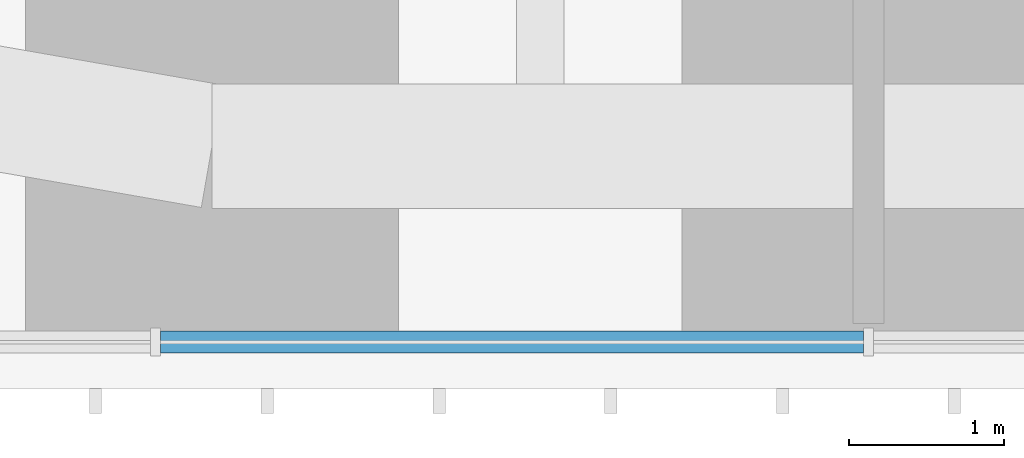
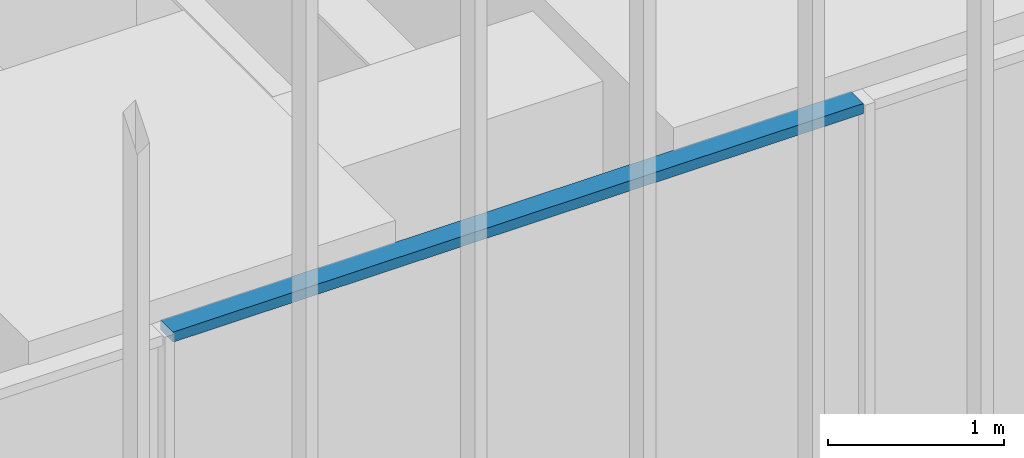
# One storey, part 34 of 256: 1 member, 1 element without a shape of its own.
"""IFC4 building model written with IfcOpenShell, lengths in metres."""

from ifc_helpers import new_model, si_unit, direction, frame, origin, origin_2d, place, context, subcontext, project, spatial, rectangle, extrude, material, material_profile, profile_set, type_object, element, aggregate, save


model = new_model("IFC4")

# Units and contexts
model_context = context("Model", 3, precision=1e-05, world=origin(), true_north=direction((0.0, 1.0)))
body_context = subcontext(model_context, "Body", "Model", "MODEL_VIEW")
ifc_project = project(units=[si_unit("LENGTHUNIT", "METRE"), si_unit("AREAUNIT", "SQUARE_METRE"), si_unit("VOLUMEUNIT", "CUBIC_METRE"), si_unit("PLANEANGLEUNIT", "RADIAN"), si_unit("MASSUNIT", "GRAM", prefix="KILO")], contexts=[model_context])

# Site, building, storey
site_placement = place(None, origin())
site = spatial("IfcSite", under=ifc_project, at=site_placement, CompositionType="ELEMENT")
building_placement = place(site_placement, origin())
building = spatial("IfcBuilding", under=site, at=building_placement, Name="Sandreach Pilgrim Tower", CompositionType="ELEMENT")
storey_placement = place(building_placement, frame((0.0, 0.0, 23.0)))
storey = spatial("IfcBuildingStorey", under=building, at=storey_placement, Name="L04", CompositionType="ELEMENT", Elevation=23.0)

# Curtain wall, member
ifc_material_1 = material(Name="Aluminium framed curtain wall", Category="aluminium")
curtain_wall_type = type_object("IfcCurtainWallType", Name="Hostel tower curtain wall", PredefinedType="NOTDEFINED", material=ifc_material_1)
curtain_wall_placement = place(storey_placement, origin())
curtain_wall = element("IfcCurtainWall", 1, at=curtain_wall_placement, inside=storey, type_object=curtain_wall_type, Name="CW-1 L04 S", PredefinedType="NOTDEFINED")
ifc_material_2 = material(Name="Aluminium extrusion", Category="aluminium")
ifc_material_profile = material_profile(ifc_material_2, rectangle(XDim=0.139892578125, YDim=0.070068359375, at=origin_2d()), Name="CW-1T 140X70")
ifc_profile_set = profile_set([ifc_material_profile], Name="Aluminium extrusion")
member_type = type_object("IfcMemberType", Name="CW-1 transom", PredefinedType="USERDEFINED", material=ifc_profile_set)
member_placement = place(storey_placement, frame((-0.032470703125, -30.010986328125, 3.60498046875), z_axis=(-1.0, 0.0, 0.0), x_axis=(0.0, -1.0, 0.0)))
member = element("IfcMember", 2, at=member_placement, type_object=member_type, Name="CW-1 head transom 3", ObjectType="TRANSOM", PredefinedType="USERDEFINED", context=body_context, shape_type="SweptSolid", body=[
    extrude(rectangle(XDim=0.139892578125, YDim=0.070068359375, at=origin_2d()), origin(), (0.0, 0.0, 1.0), 4.52099609375),
])
aggregate(curtain_wall, [member])

save(model, "model.ifc")
